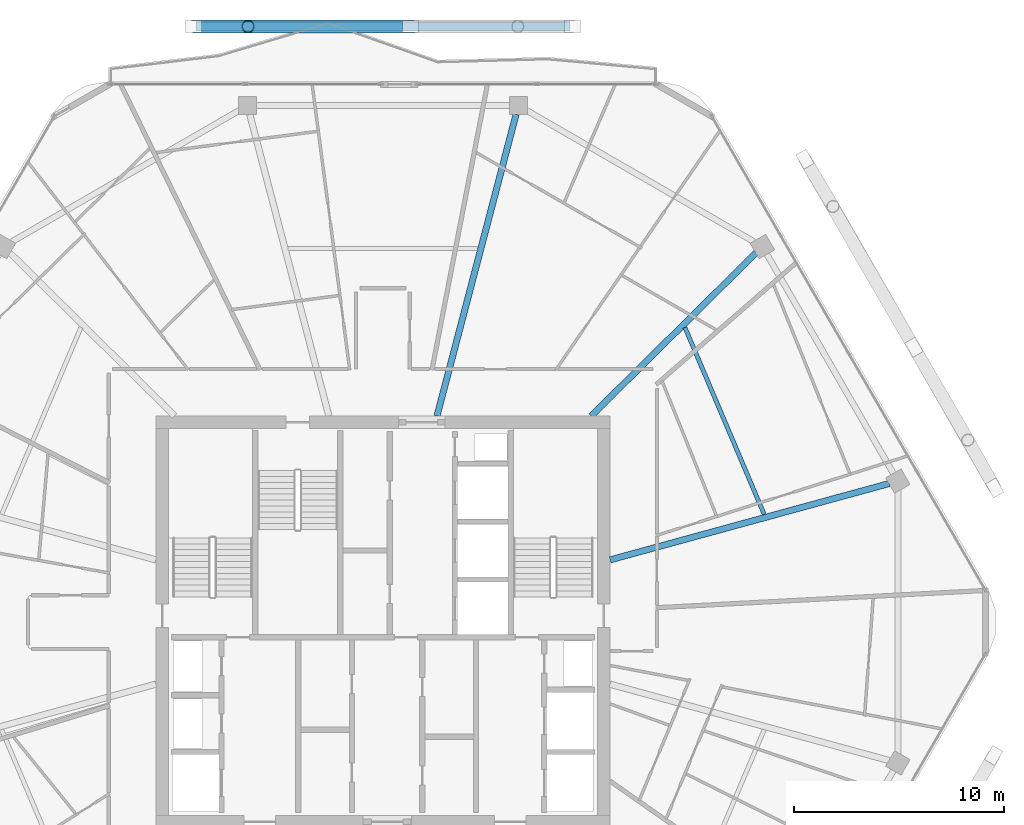
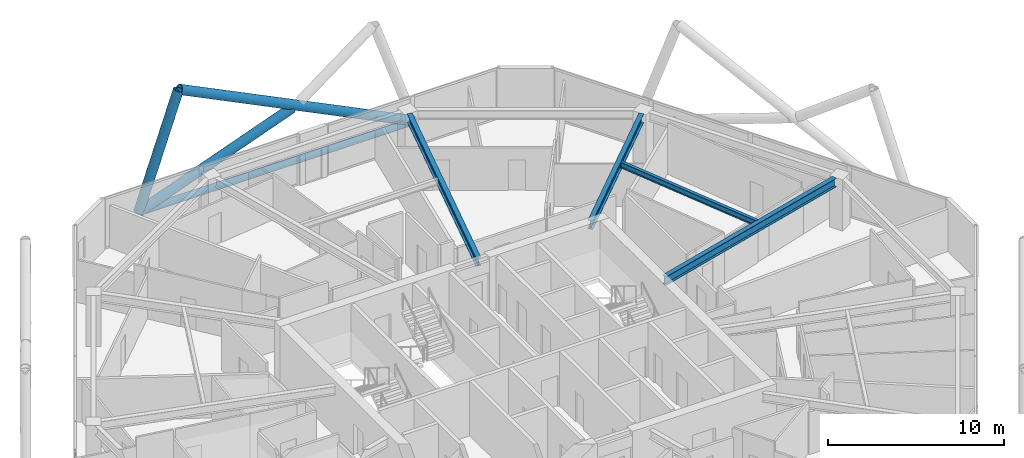
# One storey, part 16 of 27: 4 beams, 4 members.
"""IFC4 building model written with IfcOpenShell, lengths in metres."""

from ifc_helpers import new_model, si_unit, direction, frame, origin, origin_2d, place, context, subcontext, project, spatial, hollow_circle, i_section, extrude, material, material_profile, profile_set, type_object, element, save


model = new_model("IFC4")

# Units and contexts
model_context = context("Model", 3, precision=1e-05, world=origin(), true_north=direction((0.0, 1.0)))
body_context = subcontext(model_context, "Body", "Model", "MODEL_VIEW")
ifc_project = project(units=[si_unit("LENGTHUNIT", "METRE"), si_unit("AREAUNIT", "SQUARE_METRE"), si_unit("VOLUMEUNIT", "CUBIC_METRE"), si_unit("PLANEANGLEUNIT", "RADIAN"), si_unit("MASSUNIT", "GRAM", prefix="KILO")], contexts=[model_context])

# Site, building, storey
site_placement = place(None, origin())
site = spatial("IfcSite", under=ifc_project, at=site_placement, CompositionType="ELEMENT")
building_placement = place(site_placement, origin())
building = spatial("IfcBuilding", under=site, at=building_placement, Name="Zuhravey Tower", CompositionType="ELEMENT")
storey_placement = place(building_placement, frame((0.0, 0.0, 276.800048828125)))
storey = spatial("IfcBuildingStorey", under=building, at=storey_placement, Name="L70", CompositionType="ELEMENT", Elevation=276.800048828125)

# Members
ifc_material = material(Name="Steel SM355", Category="steel")
ifc_material_profile_1 = material_profile(ifc_material, hollow_circle(Radius=0.228515625, WallThickness=0.02197265625, at=origin_2d()), Name="CHS-457.2x22")
ifc_profile_set_1 = profile_set([ifc_material_profile_1], Name="Steel SM355")
member_type_1 = type_object("IfcMemberType", Name="Exoskeleton Ring Tie CHS457x22", PredefinedType="CHORD", material=ifc_profile_set_1)
member_1_placement = place(storey_placement, frame((44.888916015625, 60.323486328125, -0.464111328125), z_axis=(-1.0, 0.0, 0.0), x_axis=(0.0, -1.0, 0.0)))
element("IfcMember", 1, at=member_1_placement, inside=storey, type_object=member_type_1, Name="L70 Exoskeleton Face 2 Tie EXR1", PredefinedType="CHORD", context=body_context, shape_type="SweptSolid", body=[
    extrude(hollow_circle(Radius=0.228515625, WallThickness=0.02197265625, at=origin_2d()), origin(), (0.0, 0.0, 1.0), 17.77783203125),
])
ifc_material_profile_2 = material_profile(ifc_material, hollow_circle(Radius=0.3046875, WallThickness=0.028076171875, at=origin_2d()), Name="CHS-609.6x28")
ifc_profile_set_2 = profile_set([ifc_material_profile_2], Name="Steel SM355")
member_type_2 = type_object("IfcMemberType", Name="Exoskeleton Zone 3 Diagrid CHS610x28", PredefinedType="BRACE", material=ifc_profile_set_2)
member_2_placement = place(storey_placement, frame((44.992431640625, 60.323486328125, -0.446044921875), z_axis=(-0.897161810558, 0.0, 0.441702032683), x_axis=(0.0, -1.0, 0.0)))
element("IfcMember", 2, at=member_2_placement, inside=storey, type_object=member_type_2, Name="L70 Face 2 Diagrid Brace 2", PredefinedType="BRACE", context=body_context, shape_type="SweptSolid", body=[
    extrude(hollow_circle(Radius=0.3046875, WallThickness=0.028076171875, at=origin_2d()), origin(), (0.0, 0.0, 1.0), 17.12451171875),
])
member_3_placement = place(storey_placement, frame((26.977294921875, 60.323486328125, -0.446044921875), z_axis=(0.326060268586, 0.0, 0.945348983841), x_axis=(0.0, 1.0, 0.0)))
element("IfcMember", 3, at=member_3_placement, inside=storey, type_object=member_type_2, Name="L70 Face 2 Diagrid Brace 4", PredefinedType="BRACE", context=body_context, shape_type="SweptSolid", body=[
    extrude(hollow_circle(Radius=0.3046875, WallThickness=0.028076171875, at=origin_2d()), origin(), (0.0, 0.0, 1.0), 8.001220703125),
])
member_4_placement = place(storey_placement, frame((27.00927734375, 60.323486328125, -0.449951171875), z_axis=(0.93861991973, 0.0, 0.344953107373), x_axis=(0.0, 1.0, 0.0)))
element("IfcMember", 4, at=member_4_placement, inside=storey, type_object=member_type_2, Name="L70 Face 2 Split Diagrid Brace 3A", PredefinedType="BRACE", context=body_context, shape_type="SweptSolid", body=[
    extrude(hollow_circle(Radius=0.3046875, WallThickness=0.028076171875, at=origin_2d()), origin(), (0.0, 0.0, 1.0), 10.679931640625),
])

# Beams
ifc_material_profile_3 = material_profile(ifc_material, i_section(OverallWidth=0.300048828125, OverallDepth=0.60009765625, WebThickness=0.011962890625, FlangeThickness=0.02001953125, at=origin_2d()), Name="H-600x300x12x20")
ifc_profile_set_3 = profile_set([ifc_material_profile_3], Name="Steel SM355")
beam_type_1 = type_object("IfcBeamType", Name="Radial Primary Girder H600x300", PredefinedType="BEAM", material=ifc_profile_set_3)
beam_1_placement = place(storey_placement, frame((46.802978515625, 34.95556640625, 3.25), z_axis=(0.964549305009, 0.263902705947, 0.0), x_axis=(-0.263902705947, 0.964549305009, 0.0)))
element("IfcBeam", 5, at=beam_1_placement, inside=storey, type_object=beam_type_1, Name="L70 RG3 BM-L70-RAD-01", PredefinedType="BEAM", context=body_context, shape_type="SweptSolid", body=[
    extrude(i_section(OverallWidth=0.300048828125, OverallDepth=0.60009765625, WebThickness=0.011962890625, FlangeThickness=0.02001953125, at=origin_2d()), origin(), (0.0, 0.0, 1.0), 13.756591796875),
])
beam_2_placement = place(storey_placement, frame((45.90673828125, 41.802978515625, 3.25), z_axis=(0.710808169267, 0.70338591577, 0.0), x_axis=(-0.70338591577, 0.710808169267, 0.0)))
element("IfcBeam", 6, at=beam_2_placement, inside=storey, type_object=beam_type_1, Name="L70 RG3 BM-L70-RAD-02", PredefinedType="BEAM", context=body_context, shape_type="SweptSolid", body=[
    extrude(i_section(OverallWidth=0.300048828125, OverallDepth=0.60009765625, WebThickness=0.011962890625, FlangeThickness=0.02001953125, at=origin_2d()), origin(), (0.0, 0.0, 1.0), 11.019287109375),
])
beam_3_placement = place(storey_placement, frame((38.571533203125, 41.802978515625, 3.25), z_axis=(0.25373188956, 0.967274587809, 0.0), x_axis=(-0.967274587809, 0.25373188956, 0.0)))
element("IfcBeam", 7, at=beam_3_placement, inside=storey, type_object=beam_type_1, Name="L70 RG3 BM-L70-RAD-03", PredefinedType="BEAM", context=body_context, shape_type="SweptSolid", body=[
    extrude(i_section(OverallWidth=0.300048828125, OverallDepth=0.60009765625, WebThickness=0.011962890625, FlangeThickness=0.02001953125, at=origin_2d()), origin(), (0.0, 0.0, 1.0), 14.82177734375),
])
ifc_material_profile_4 = material_profile(ifc_material, i_section(OverallWidth=0.199951171875, OverallDepth=0.39990234375, WebThickness=0.008056640625, FlangeThickness=0.012939453125, at=origin_2d()), Name="H-400x200x8x13")
ifc_profile_set_4 = profile_set([ifc_material_profile_4], Name="Steel SM355")
beam_type_2 = type_object("IfcBeamType", Name="Secondary Floor Joist H400x200", PredefinedType="JOIST", material=ifc_profile_set_4)
beam_4_placement = place(storey_placement, frame((54.130859375, 37.118896484375, 3.349853515625), z_axis=(-0.390413493754, 0.920639616731, 0.0), x_axis=(-0.920639616731, -0.390413493754, 0.0)))
element("IfcBeam", 8, at=beam_4_placement, inside=storey, type_object=beam_type_2, Name="L70 SJ2 BM-L70-SJ-01-1", PredefinedType="JOIST", context=body_context, shape_type="SweptSolid", body=[
    extrude(i_section(OverallWidth=0.199951171875, OverallDepth=0.39990234375, WebThickness=0.008056640625, FlangeThickness=0.012939453125, at=origin_2d()), origin(), (0.0, 0.0, 1.0), 9.656494140625),
])

save(model, "model.ifc")
